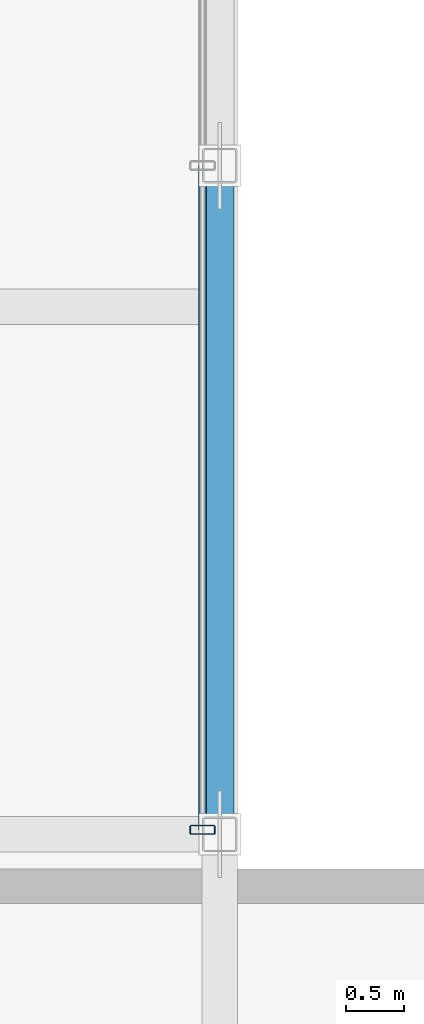
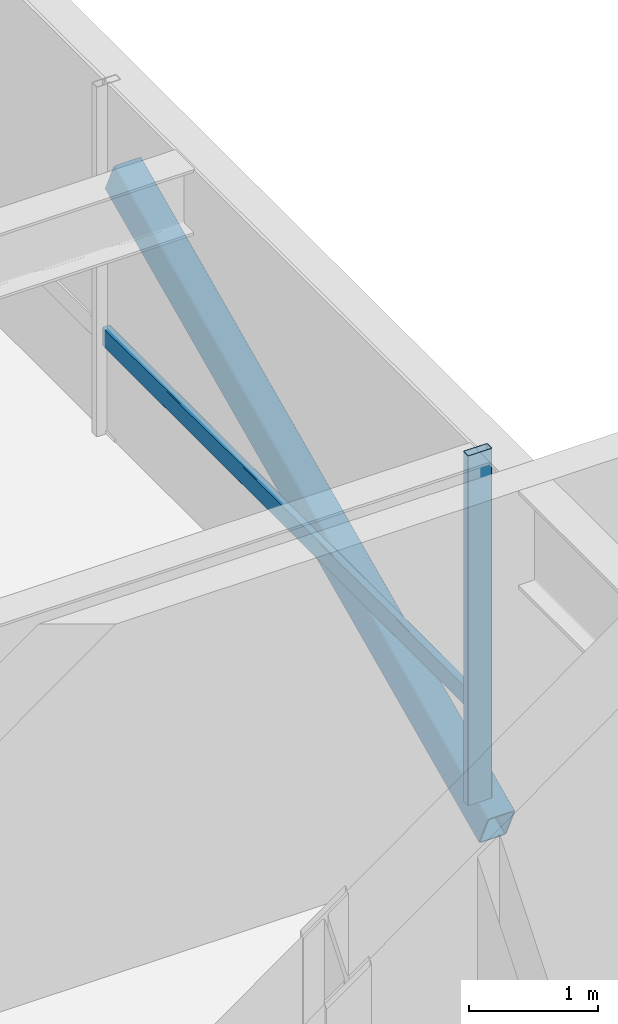
# One storey, part 8 of 36: 3 members, 1 element without a shape of its own.
"""IFC4 building model written with IfcOpenShell, lengths in metres."""

from ifc_helpers import new_model, si_unit, direction, frame, origin, origin_2d, place, context, subcontext, project, spatial, hollow_rectangle, extrude, material, layer, layer_set, material_profile, profile_set, type_object, element, aggregate, save


model = new_model("IFC4")

# Units and contexts
model_context = context("Model", 3, precision=1e-05, world=origin(), true_north=direction((0.0, 1.0)))
body_context = subcontext(model_context, "Body", "Model", "MODEL_VIEW")
ifc_project = project(units=[si_unit("LENGTHUNIT", "METRE"), si_unit("AREAUNIT", "SQUARE_METRE"), si_unit("VOLUMEUNIT", "CUBIC_METRE"), si_unit("PLANEANGLEUNIT", "RADIAN"), si_unit("MASSUNIT", "GRAM", prefix="KILO")], contexts=[model_context])

# Site, building, storey
site_placement = place(None, origin())
site = spatial("IfcSite", under=ifc_project, at=site_placement, CompositionType="ELEMENT")
building_placement = place(site_placement, origin())
building = spatial("IfcBuilding", under=site, at=building_placement, Name="Korimba Cascade Residences", CompositionType="ELEMENT")
storey_placement = place(building_placement, frame((0.0, 0.0, 146.5)))
storey = spatial("IfcBuildingStorey", under=building, at=storey_placement, Name="L42", CompositionType="ELEMENT", Elevation=146.5)

# Curtain wall, members
ifc_material_1 = material(Name="Anodised Aluminium Curtain Wall Framing", Category="aluminium")
ifc_layer = layer(ifc_material_1, 0.179931640625)
ifc_layer_set = layer_set([ifc_layer], Name="Anodised Aluminium Curtain Wall Framing")
curtain_wall_type = type_object("IfcCurtainWallType", Name="CW-BRG-SYS3", PredefinedType="NOTDEFINED", material=ifc_layer_set)
curtain_wall_placement = place(storey_placement, origin())
curtain_wall = element("IfcCurtainWall", 1, at=curtain_wall_placement, inside=storey, type_object=curtain_wall_type, Name="L42 Curtain Wall CW-L42-BRG-E", PredefinedType="NOTDEFINED")
ifc_material_2 = material(Name="Anodised Aluminium Mullion", Category="aluminium")
ifc_material_profile_1 = material_profile(ifc_material_2, hollow_rectangle(XDim=0.080078125, YDim=0.219970703125, WallThickness=0.00634765625, InnerFilletRadius=0.00634765625, OuterFilletRadius=0.0126953125, at=origin_2d()), Name="Anodised Aluminium Mullion")
ifc_profile_set_1 = profile_set([ifc_material_profile_1], Name="Anodised Aluminium Mullion")
member_type_1 = type_object("IfcMemberType", Name="CWM-MUL-220", PredefinedType="MULLION", material=ifc_profile_set_1)
member_1_placement = place(storey_placement, frame((111.949951171875, 33.139892578125, 0.0), z_axis=(0.0, 0.0, 1.0), x_axis=(0.0, 1.0, 0.0)))
member_1 = element("IfcMember", 2, at=member_1_placement, type_object=member_type_1, Name="CW-L42-BRG-E Mullion 1", PredefinedType="MULLION", context=body_context, shape_type="SweptSolid", body=[
    extrude(hollow_rectangle(XDim=0.080078125, YDim=0.219970703125, WallThickness=0.00634765625, InnerFilletRadius=0.00634765625, OuterFilletRadius=0.0126953125, at=origin_2d()), origin(), (0.0, 0.0, 1.0), 3.31005859375),
])
ifc_material_3 = material(Name="Anodised Aluminium Transom", Category="aluminium")
ifc_material_profile_2 = material_profile(ifc_material_3, hollow_rectangle(XDim=0.070068359375, YDim=0.179931640625, WallThickness=0.0048828125, InnerFilletRadius=0.0048828125, OuterFilletRadius=0.010009765625, at=origin_2d()), Name="Anodised Aluminium Transom")
ifc_profile_set_2 = profile_set([ifc_material_profile_2], Name="Anodised Aluminium Transom")
member_type_2 = type_object("IfcMemberType", Name="CWM-TRN-150", PredefinedType="USERDEFINED", material=ifc_profile_set_2)
member_2_placement = place(storey_placement, frame((111.949951171875, 33.139892578125, 0.89990234375), z_axis=(0.0, 1.0, 0.0), x_axis=(-1.0, 0.0, 0.0)))
member_2 = element("IfcMember", 3, at=member_2_placement, type_object=member_type_2, Name="CW-L42-BRG-E Transom 1", ObjectType="TRANSOM", PredefinedType="USERDEFINED", context=body_context, shape_type="SweptSolid", body=[
    extrude(hollow_rectangle(XDim=0.070068359375, YDim=0.179931640625, WallThickness=0.0048828125, InnerFilletRadius=0.0048828125, OuterFilletRadius=0.010009765625, at=origin_2d()), origin(), (0.0, 0.0, 1.0), 5.760009765625),
])
aggregate(curtain_wall, [member_1, member_2])

# Member
ifc_material_4 = material(Name="Steel S460", Category="steel")
ifc_material_profile_3 = material_profile(ifc_material_4, hollow_rectangle(XDim=0.25, YDim=0.35009765625, WallThickness=0.012451171875, InnerFilletRadius=0.012451171875, OuterFilletRadius=0.02490234375, at=origin_2d()), Name="Steel S460")
ifc_profile_set_3 = profile_set([ifc_material_profile_3], Name="Steel S460")
member_type_3 = type_object("IfcMemberType", Name="MEM-BRG-SHS350", PredefinedType="BRACE", material=ifc_profile_set_3)
member_3_placement = place(storey_placement, frame((112.10009765625, 33.10009765625, -0.2900390625), z_axis=(0.0, 0.90816738731, 0.418607210433), x_axis=(-1.0, 0.0, 0.0)))
element("IfcMember", 4, at=member_3_placement, inside=storey, type_object=member_type_3, Name="L42 Mid-Bridge Warren Diagonal E1", PredefinedType="BRACE", context=body_context, shape_type="SweptSolid", body=[
    extrude(hollow_rectangle(XDim=0.25, YDim=0.35009765625, WallThickness=0.012451171875, InnerFilletRadius=0.012451171875, OuterFilletRadius=0.02490234375, at=origin_2d()), origin(), (0.0, 0.0, 1.0), 6.38623046875),
])

save(model, "model.ifc")
